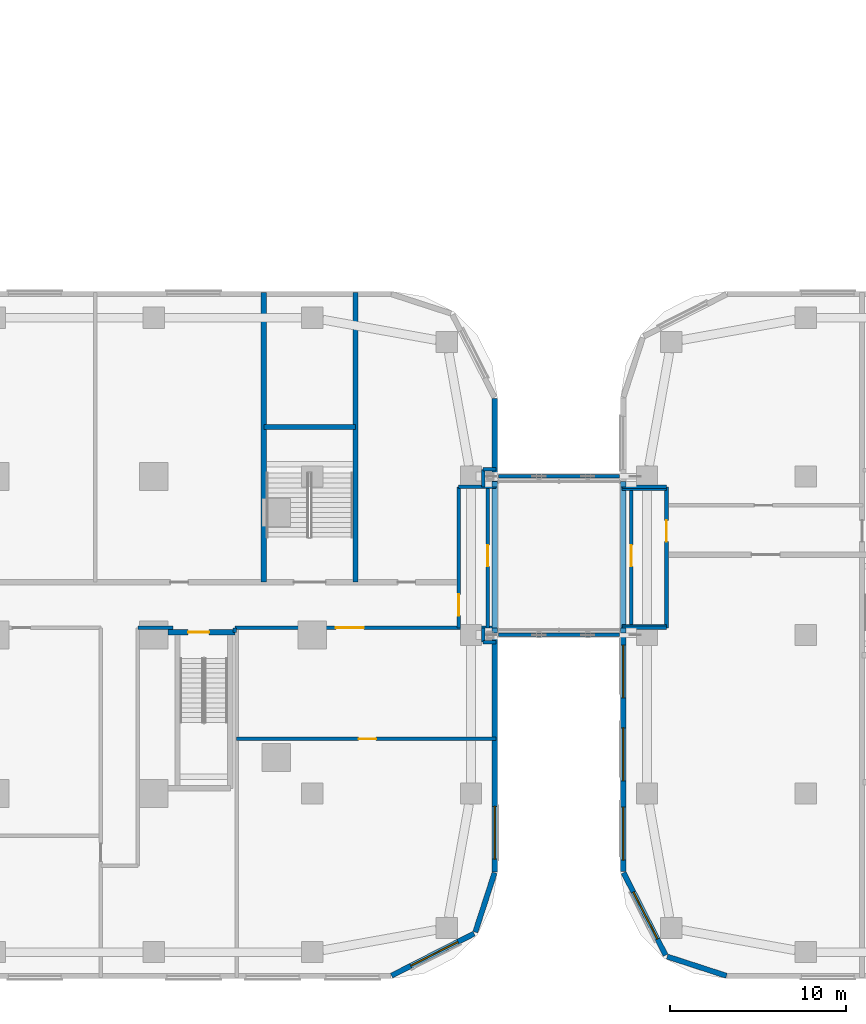
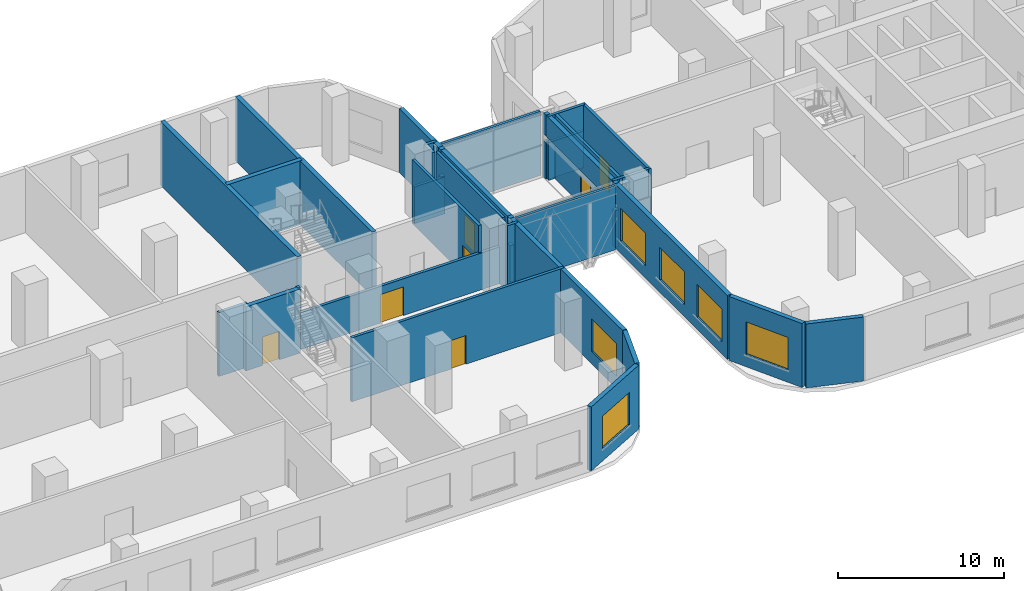
# One storey, part 11 of 35: 40 walls, 7 doors, 6 windows, 13 openings.
"""IFC4 building model written with IfcOpenShell, lengths in metres."""

from ifc_helpers import new_model, si_unit, direction, frame, frame_2d, origin, place, context, subcontext, project, spatial, rectangle, extrude, material, layer, layer_set, type_object, element, fill, save


model = new_model("IFC4")

# Units and contexts
model_context = context("Model", 3, precision=1e-05, world=origin(), true_north=direction((0.0, 1.0)))
body_context = subcontext(model_context, "Body", "Model", "MODEL_VIEW")
ifc_project = project(units=[si_unit("LENGTHUNIT", "METRE"), si_unit("AREAUNIT", "SQUARE_METRE"), si_unit("VOLUMEUNIT", "CUBIC_METRE"), si_unit("PLANEANGLEUNIT", "RADIAN"), si_unit("MASSUNIT", "GRAM", prefix="KILO")], contexts=[model_context])

# Site, building, storey
site_placement = place(None, origin())
site = spatial("IfcSite", under=ifc_project, at=site_placement, CompositionType="ELEMENT")
building_placement = place(site_placement, origin())
building = spatial("IfcBuilding", under=site, at=building_placement, Name="Ogive Portal Towers", CompositionType="ELEMENT")
storey_placement = place(building_placement, frame((0.0, 0.0, 23.5)))
storey = spatial("IfcBuildingStorey", under=building, at=storey_placement, Name="L04", CompositionType="ELEMENT", Elevation=23.5)

# Wall, opening, window
ifc_material_1 = material(Name="Limestone cladding on lightweight block wall", Category="masonry")
ifc_layer_1 = layer(ifc_material_1, 0.300048828125)
ifc_layer_set_1 = layer_set([ifc_layer_1], Name="EXTERNAL WALL 300 STONE")
wall_type_1 = type_object("IfcWallType", Name="EXTERNAL WALL 300 STONE", PredefinedType="SOLIDWALL", material=ifc_layer_set_1)
wall_1_placement = place(storey_placement, frame((98.99609375, 11.166259765625, 0.0), z_axis=(0.0, 0.0, 1.0), x_axis=(0.890998339455, 0.454006562826, 0.0)))
wall_1 = element("IfcWall", 1, at=wall_1_placement, inside=storey, type_object=wall_type_1, Name="A:L04:f03:w0", PredefinedType="SOLIDWALL", context=body_context, shape_type="SweptSolid", body=[
    extrude(rectangle(XDim=5.251708984375, YDim=0.300048828125, at=frame_2d((2.6259765625, 0.0))), origin(), (0.0, 0.0, 1.0), 4.699951171875),
])
opening_1_placement = place(wall_1_placement, frame((1.223876953125, 0.0, 0.89990234375)))
opening_1 = element("IfcOpeningElement", 2, at=opening_1_placement, cuts=wall_1, Name="Opening WN3", PredefinedType="OPENING", context=body_context, shape_type="SweptSolid", body=[
    extrude(rectangle(XDim=3.0, YDim=2.39990234375, at=frame_2d((1.5, 1.199951171875))), frame((0.0, 0.16015625, 0.0), z_axis=(0.0, -1.0, 0.0), x_axis=(1.0, 0.0, 0.0)), (0.0, 0.0, 1.0), 0.320068359375),
])
ifc_material_2 = material(Name="Glass, clear low-iron insulated glazing", Category="glass")
window_type = type_object("IfcWindowType", Name="WINDOW PODIUM 3000x2400", PartitioningType="SINGLE_PANEL", PredefinedType="WINDOW", material=ifc_material_2)
window_1_placement = place(opening_1_placement, origin())
window_1 = element("IfcWindow", 3, at=window_1_placement, inside=storey, type_object=window_type, Name="A:L04:f03:w0:o0", OverallHeight=2.39990234375, OverallWidth=3.0, PartitioningType="SINGLE_PANEL", PredefinedType="WINDOW", context=body_context, shape_type="SweptSolid", body=[
    extrude(rectangle(XDim=3.0, YDim=2.39990234375, at=frame_2d((1.5, 1.199951171875))), frame((0.0, 0.030029296875, 0.0), z_axis=(0.0, -1.0, 0.0), x_axis=(1.0, 0.0, 0.0)), (0.0, 0.0, 1.0), 0.06005859375),
])
fill(opening_1, window_1)

# Walls
wall_2_placement = place(storey_placement, frame((103.749755859375, 13.637939453125, 0.0), z_axis=(0.0, 0.0, 1.0), x_axis=(0.309073584194, 0.951038127287, 0.0)))
element("IfcWall", 4, at=wall_2_placement, inside=storey, type_object=wall_type_1, Name="A:L04:f04:w0", PredefinedType="SOLIDWALL", context=body_context, shape_type="SweptSolid", body=[
    extrude(rectangle(XDim=3.536376953125, YDim=0.300048828125, at=frame_2d((1.76806640625, 0.0))), origin(), (0.0, 0.0, 1.0), 4.699951171875),
])
wall_3_placement = place(storey_placement, frame((104.85009765625, 30.89990234375, 3.14990234375), z_axis=(0.0, 0.0, 1.0), x_axis=(0.0, 1.0, 0.0)))
element("IfcWall", 5, at=wall_3_placement, inside=storey, type_object=wall_type_1, Name="A:L04:f05:lt", PredefinedType="SOLIDWALL", context=body_context, shape_type="SweptSolid", body=[
    extrude(rectangle(XDim=8.0, YDim=0.300048828125, at=frame_2d((4.0, 0.0))), origin(), (0.0, 0.0, 1.0), 1.550048828125),
])

# Wall, opening, window
wall_4_placement = place(storey_placement, frame((104.85009765625, 17.047607421875, 0.0), z_axis=(0.0, 0.0, 1.0), x_axis=(0.0, 1.0, 0.0)))
wall_4 = element("IfcWall", 6, at=wall_4_placement, inside=storey, type_object=wall_type_1, Name="A:L04:f05:w0", PredefinedType="SOLIDWALL", context=body_context, shape_type="SweptSolid", body=[
    extrude(rectangle(XDim=13.552490234375, YDim=0.300048828125, at=frame_2d((6.7763671875, 0.0))), origin(), (0.0, 0.0, 1.0), 4.699951171875),
])
opening_2_placement = place(wall_4_placement, frame((0.726318359375, 0.0, 0.89990234375)))
opening_2 = element("IfcOpeningElement", 7, at=opening_2_placement, cuts=wall_4, Name="Opening WN3", PredefinedType="OPENING", context=body_context, shape_type="SweptSolid", body=[
    extrude(rectangle(XDim=3.0, YDim=2.39990234375, at=frame_2d((1.5, 1.199951171875))), frame((0.0, 0.16015625, 0.0), z_axis=(0.0, -1.0, 0.0), x_axis=(1.0, 0.0, 0.0)), (0.0, 0.0, 1.0), 0.320068359375),
])
window_2_placement = place(opening_2_placement, origin())
window_2 = element("IfcWindow", 8, at=window_2_placement, inside=storey, type_object=window_type, Name="A:L04:f05:w0:o0", OverallHeight=2.39990234375, OverallWidth=3.0, PartitioningType="SINGLE_PANEL", PredefinedType="WINDOW", context=body_context, shape_type="SweptSolid", body=[
    extrude(rectangle(XDim=3.0, YDim=2.39990234375, at=frame_2d((1.5, 1.199951171875))), frame((0.0, 0.030029296875, 0.0), z_axis=(0.0, -1.0, 0.0), x_axis=(1.0, 0.0, 0.0)), (0.0, 0.0, 1.0), 0.06005859375),
])
fill(opening_2, window_2)

# Wall
wall_5_placement = place(storey_placement, frame((104.85009765625, 39.199951171875, 0.0), z_axis=(0.0, 0.0, 1.0), x_axis=(0.0, 1.0, 0.0)))
element("IfcWall", 9, at=wall_5_placement, inside=storey, type_object=wall_type_1, Name="A:L04:f05:w1", PredefinedType="SOLIDWALL", context=body_context, shape_type="SweptSolid", body=[
    extrude(rectangle(XDim=4.72802734375, YDim=0.300048828125, at=frame_2d((2.364013671875, 0.0))), origin(), (0.0, 0.0, 1.0), 4.699951171875),
])

# Wall, opening, window
wall_6_placement = place(storey_placement, frame((112.166259765625, 17.00390625, 0.0), z_axis=(0.0, 0.0, 1.0), x_axis=(0.454006562826, -0.890998339455, 0.0)))
wall_6 = element("IfcWall", 10, at=wall_6_placement, inside=storey, type_object=wall_type_1, Name="B:L04:f00:w0", PredefinedType="SOLIDWALL", context=body_context, shape_type="SweptSolid", body=[
    extrude(rectangle(XDim=5.251708984375, YDim=0.300048828125, at=frame_2d((2.6259765625, 0.0))), origin(), (0.0, 0.0, 1.0), 4.699951171875),
])
opening_3_placement = place(wall_6_placement, frame((1.223876953125, 0.0, 0.89990234375)))
opening_3 = element("IfcOpeningElement", 11, at=opening_3_placement, cuts=wall_6, Name="Opening WN3", PredefinedType="OPENING", context=body_context, shape_type="SweptSolid", body=[
    extrude(rectangle(XDim=3.0, YDim=2.39990234375, at=frame_2d((1.5, 1.199951171875))), frame((0.0, 0.16015625, 0.0), z_axis=(0.0, -1.0, 0.0), x_axis=(1.0, 0.0, 0.0)), (0.0, 0.0, 1.0), 0.320068359375),
])
window_3_placement = place(opening_3_placement, origin())
window_3 = element("IfcWindow", 12, at=window_3_placement, inside=storey, type_object=window_type, Name="B:L04:f00:w0:o0", OverallHeight=2.39990234375, OverallWidth=3.0, PartitioningType="SINGLE_PANEL", PredefinedType="WINDOW", context=body_context, shape_type="SweptSolid", body=[
    extrude(rectangle(XDim=3.0, YDim=2.39990234375, at=frame_2d((1.5, 1.199951171875))), frame((0.0, 0.030029296875, 0.0), z_axis=(0.0, -1.0, 0.0), x_axis=(1.0, 0.0, 0.0)), (0.0, 0.0, 1.0), 0.06005859375),
])
fill(opening_3, window_3)

# Walls
wall_7_placement = place(storey_placement, frame((114.637939453125, 12.250244140625, 0.0), z_axis=(0.0, 0.0, 1.0), x_axis=(0.951038127287, -0.309073584194, 0.0)))
element("IfcWall", 13, at=wall_7_placement, inside=storey, type_object=wall_type_1, Name="B:L04:f01:w0", PredefinedType="SOLIDWALL", context=body_context, shape_type="SweptSolid", body=[
    extrude(rectangle(XDim=3.536376953125, YDim=0.300048828125, at=frame_2d((1.76806640625, 0.0))), origin(), (0.0, 0.0, 1.0), 4.699951171875),
])
wall_8_placement = place(storey_placement, frame((112.14990234375, 38.89990234375, 3.14990234375), z_axis=(0.0, 0.0, 1.0), x_axis=(0.0, -1.0, 0.0)))
element("IfcWall", 14, at=wall_8_placement, inside=storey, type_object=wall_type_1, Name="B:L04:f11:lt", PredefinedType="SOLIDWALL", context=body_context, shape_type="SweptSolid", body=[
    extrude(rectangle(XDim=8.0, YDim=0.300048828125, at=frame_2d((4.0, 0.0))), origin(), (0.0, 0.0, 1.0), 1.550048828125),
])

# Wall, openings, windows
wall_9_placement = place(storey_placement, frame((112.14990234375, 30.60009765625, 0.0), z_axis=(0.0, 0.0, 1.0), x_axis=(0.0, -1.0, 0.0)))
wall_9 = element("IfcWall", 15, at=wall_9_placement, inside=storey, type_object=wall_type_1, Name="B:L04:f11:w1", PredefinedType="SOLIDWALL", context=body_context, shape_type="SweptSolid", body=[
    extrude(rectangle(XDim=13.528076171875, YDim=0.300048828125, at=frame_2d((6.76416015625, 0.0))), origin(), (0.0, 0.0, 1.0), 4.699951171875),
])
opening_4_placement = place(wall_9_placement, frame((0.67626953125, 0.0, 0.89990234375)))
opening_4 = element("IfcOpeningElement", 16, at=opening_4_placement, cuts=wall_9, Name="Opening WN3", PredefinedType="OPENING", context=body_context, shape_type="SweptSolid", body=[
    extrude(rectangle(XDim=3.0, YDim=2.39990234375, at=frame_2d((1.5, 1.199951171875))), frame((0.0, 0.16015625, 0.0), z_axis=(0.0, -1.0, 0.0), x_axis=(1.0, 0.0, 0.0)), (0.0, 0.0, 1.0), 0.320068359375),
])
opening_5_placement = place(wall_9_placement, frame((5.376220703125, 0.0, 0.89990234375)))
opening_5 = element("IfcOpeningElement", 17, at=opening_5_placement, cuts=wall_9, Name="Opening WN3", PredefinedType="OPENING", context=body_context, shape_type="SweptSolid", body=[
    extrude(rectangle(XDim=3.0, YDim=2.39990234375, at=frame_2d((1.5, 1.199951171875))), frame((0.0, 0.16015625, 0.0), z_axis=(0.0, -1.0, 0.0), x_axis=(1.0, 0.0, 0.0)), (0.0, 0.0, 1.0), 0.320068359375),
])
opening_6_placement = place(wall_9_placement, frame((9.876220703125, 0.0, 0.89990234375)))
opening_6 = element("IfcOpeningElement", 18, at=opening_6_placement, cuts=wall_9, Name="Opening WN3", PredefinedType="OPENING", context=body_context, shape_type="SweptSolid", body=[
    extrude(rectangle(XDim=3.0, YDim=2.39990234375, at=frame_2d((1.5, 1.199951171875))), frame((0.0, 0.16015625, 0.0), z_axis=(0.0, -1.0, 0.0), x_axis=(1.0, 0.0, 0.0)), (0.0, 0.0, 1.0), 0.320068359375),
])
window_4_placement = place(opening_4_placement, origin())
window_4 = element("IfcWindow", 19, at=window_4_placement, inside=storey, type_object=window_type, Name="B:L04:f11:w1:o0", OverallHeight=2.39990234375, OverallWidth=3.0, PartitioningType="SINGLE_PANEL", PredefinedType="WINDOW", context=body_context, shape_type="SweptSolid", body=[
    extrude(rectangle(XDim=3.0, YDim=2.39990234375, at=frame_2d((1.5, 1.199951171875))), frame((0.0, 0.030029296875, 0.0), z_axis=(0.0, -1.0, 0.0), x_axis=(1.0, 0.0, 0.0)), (0.0, 0.0, 1.0), 0.06005859375),
])
fill(opening_4, window_4)
window_5_placement = place(opening_5_placement, origin())
window_5 = element("IfcWindow", 20, at=window_5_placement, inside=storey, type_object=window_type, Name="B:L04:f11:w1:o1a", OverallHeight=2.39990234375, OverallWidth=3.0, PartitioningType="SINGLE_PANEL", PredefinedType="WINDOW", context=body_context, shape_type="SweptSolid", body=[
    extrude(rectangle(XDim=3.0, YDim=2.39990234375, at=frame_2d((1.5, 1.199951171875))), frame((0.0, 0.030029296875, 0.0), z_axis=(0.0, -1.0, 0.0), x_axis=(1.0, 0.0, 0.0)), (0.0, 0.0, 1.0), 0.06005859375),
])
fill(opening_5, window_5)
window_6_placement = place(opening_6_placement, origin())
window_6 = element("IfcWindow", 21, at=window_6_placement, inside=storey, type_object=window_type, Name="B:L04:f11:w1:o1b", OverallHeight=2.39990234375, OverallWidth=3.0, PartitioningType="SINGLE_PANEL", PredefinedType="WINDOW", context=body_context, shape_type="SweptSolid", body=[
    extrude(rectangle(XDim=3.0, YDim=2.39990234375, at=frame_2d((1.5, 1.199951171875))), frame((0.0, 0.030029296875, 0.0), z_axis=(0.0, -1.0, 0.0), x_axis=(1.0, 0.0, 0.0)), (0.0, 0.0, 1.0), 0.06005859375),
])
fill(opening_6, window_6)

# Walls
wall_10_placement = place(storey_placement, frame((104.85009765625, 30.60009765625, 0.0), z_axis=(0.0, 0.0, 1.0), x_axis=(0.0, 1.0, 0.0)))
element("IfcWall", 22, at=wall_10_placement, inside=storey, type_object=wall_type_1, Name="Pier return", PredefinedType="SOLIDWALL", context=body_context, shape_type="SweptSolid", body=[
    extrude(rectangle(XDim=0.2998046875, YDim=0.300048828125, at=frame_2d((0.14990234375, 0.0))), origin(), (0.0, 0.0, 1.0), 2.699951171875),
])
wall_11_placement = place(storey_placement, frame((104.85009765625, 30.60009765625, 3.14990234375), z_axis=(0.0, 0.0, 1.0), x_axis=(0.0, 1.0, 0.0)))
element("IfcWall", 23, at=wall_11_placement, inside=storey, type_object=wall_type_1, Name="Pier return", PredefinedType="SOLIDWALL", context=body_context, shape_type="SweptSolid", body=[
    extrude(rectangle(XDim=0.2998046875, YDim=0.300048828125, at=frame_2d((0.14990234375, 0.0))), origin(), (0.0, 0.0, 1.0), 1.550048828125),
])
wall_12_placement = place(storey_placement, frame((104.85009765625, 39.199951171875, 0.0), z_axis=(0.0, 0.0, 1.0), x_axis=(0.0, -1.0, 0.0)))
element("IfcWall", 24, at=wall_12_placement, inside=storey, type_object=wall_type_1, Name="Pier return", PredefinedType="SOLIDWALL", context=body_context, shape_type="SweptSolid", body=[
    extrude(rectangle(XDim=0.300048828125, YDim=0.300048828125, at=frame_2d((0.14990234375, 0.0))), origin(), (0.0, 0.0, 1.0), 2.699951171875),
])
wall_13_placement = place(storey_placement, frame((104.85009765625, 39.199951171875, 3.14990234375), z_axis=(0.0, 0.0, 1.0), x_axis=(0.0, -1.0, 0.0)))
element("IfcWall", 25, at=wall_13_placement, inside=storey, type_object=wall_type_1, Name="Pier return", PredefinedType="SOLIDWALL", context=body_context, shape_type="SweptSolid", body=[
    extrude(rectangle(XDim=0.300048828125, YDim=0.300048828125, at=frame_2d((0.14990234375, 0.0))), origin(), (0.0, 0.0, 1.0), 1.550048828125),
])
wall_14_placement = place(storey_placement, frame((112.14990234375, 39.199951171875, 0.0), z_axis=(0.0, 0.0, 1.0), x_axis=(0.0, -1.0, 0.0)))
element("IfcWall", 26, at=wall_14_placement, inside=storey, type_object=wall_type_1, Name="Pier return", PredefinedType="SOLIDWALL", context=body_context, shape_type="SweptSolid", body=[
    extrude(rectangle(XDim=0.300048828125, YDim=0.300048828125, at=frame_2d((0.14990234375, 0.0))), origin(), (0.0, 0.0, 1.0), 2.699951171875),
])
wall_15_placement = place(storey_placement, frame((112.14990234375, 39.199951171875, 3.14990234375), z_axis=(0.0, 0.0, 1.0), x_axis=(0.0, -1.0, 0.0)))
element("IfcWall", 27, at=wall_15_placement, inside=storey, type_object=wall_type_1, Name="Pier return", PredefinedType="SOLIDWALL", context=body_context, shape_type="SweptSolid", body=[
    extrude(rectangle(XDim=0.300048828125, YDim=0.300048828125, at=frame_2d((0.14990234375, 0.0))), origin(), (0.0, 0.0, 1.0), 1.550048828125),
])
wall_16_placement = place(storey_placement, frame((112.14990234375, 30.60009765625, 0.0), z_axis=(0.0, 0.0, 1.0), x_axis=(0.0, 1.0, 0.0)))
element("IfcWall", 28, at=wall_16_placement, inside=storey, type_object=wall_type_1, Name="Pier return", PredefinedType="SOLIDWALL", context=body_context, shape_type="SweptSolid", body=[
    extrude(rectangle(XDim=0.2998046875, YDim=0.300048828125, at=frame_2d((0.14990234375, 0.0))), origin(), (0.0, 0.0, 1.0), 2.699951171875),
])
wall_17_placement = place(storey_placement, frame((112.14990234375, 30.60009765625, 3.14990234375), z_axis=(0.0, 0.0, 1.0), x_axis=(0.0, 1.0, 0.0)))
element("IfcWall", 29, at=wall_17_placement, inside=storey, type_object=wall_type_1, Name="Pier return", PredefinedType="SOLIDWALL", context=body_context, shape_type="SweptSolid", body=[
    extrude(rectangle(XDim=0.2998046875, YDim=0.300048828125, at=frame_2d((0.14990234375, 0.0))), origin(), (0.0, 0.0, 1.0), 1.550048828125),
])

# Wall, opening, door
ifc_material_3 = material(Name="Concrete C50/60", Category="concrete")
ifc_layer_2 = layer(ifc_material_3, 0.300048828125)
ifc_layer_set_2 = layer_set([ifc_layer_2], Name="STAIR WALL 300 C50")
wall_type_2 = type_object("IfcWallType", Name="STAIR WALL 300 C50", PredefinedType="SHEAR", material=ifc_layer_set_2)
wall_18_placement = place(storey_placement, frame((86.300048828125, 30.64990234375, 0.0), z_axis=(0.0, 0.0, 1.0), x_axis=(1.0, 0.0, 0.0)))
wall_18 = element("IfcWall", 30, at=wall_18_placement, inside=storey, type_object=wall_type_2, Name="Stair wall ST-A4 L04", PredefinedType="SHEAR", context=body_context, shape_type="SweptSolid", body=[
    extrude(rectangle(XDim=3.800048828125, YDim=0.300048828125, at=frame_2d((1.89990234375, 0.0))), origin(), (0.0, 0.0, 1.0), 4.699951171875),
])
opening_7_placement = place(wall_18_placement, frame((1.14990234375, 0.0, 0.0)))
opening_7 = element("IfcOpeningElement", 31, at=opening_7_placement, cuts=wall_18, Name="Opening P04-002", PredefinedType="OPENING", context=body_context, shape_type="SweptSolid", body=[
    extrude(rectangle(XDim=1.199951171875, YDim=2.10009765625, at=frame_2d((0.60009765625, 1.050048828125))), frame((0.0, 0.16015625, 0.0), z_axis=(0.0, -1.0, 0.0), x_axis=(1.0, 0.0, 0.0)), (0.0, 0.0, 1.0), 0.320068359375),
])
ifc_material_4 = material(Name="Steel fire door", Category="steel")
door_type_1 = type_object("IfcDoorType", Name="DT-SWING-1200x2100-FD90S", OperationType="SINGLE_SWING_LEFT", PredefinedType="DOOR", material=ifc_material_4)
door_1_placement = place(opening_7_placement, origin())
door_1 = element("IfcDoor", 32, at=door_1_placement, inside=storey, type_object=door_type_1, Name="Door P04-002", OperationType="SINGLE_SWING_RIGHT", OverallHeight=2.10009765625, OverallWidth=1.199951171875, PredefinedType="DOOR", context=body_context, shape_type="SweptSolid", body=[
    extrude(rectangle(XDim=1.199951171875, YDim=2.10009765625, at=frame_2d((0.60009765625, 1.050048828125))), frame((0.0, 0.02490234375, 0.0), z_axis=(0.0, -1.0, 0.0), x_axis=(1.0, 0.0, 0.0)), (0.0, 0.0, 1.0), 0.050048828125),
])
fill(opening_7, door_1)

# Walls
wall_19_placement = place(storey_placement, frame((91.75, 42.300048828125, 0.0), z_axis=(0.0, 0.0, 1.0), x_axis=(1.0, 0.0, 0.0)))
element("IfcWall", 33, at=wall_19_placement, inside=storey, type_object=wall_type_2, Name="Stair wall ST-P1 L04", PredefinedType="SHEAR", context=body_context, shape_type="SweptSolid", body=[
    extrude(rectangle(XDim=5.199951171875, YDim=0.300048828125, at=frame_2d((2.60009765625, 0.0))), origin(), (0.0, 0.0, 1.0), 4.699951171875),
])
for number, where, z_axis, x_axis, name in (
    (34, (91.75, 33.5, 0.0), (0.0, 0.0, 1.0), (0.0, 1.0, 0.0), "Stair wall ST-P1 L04"),
    (35, (96.949951171875, 33.5, 0.0), (0.0, 0.0, 1.0), (0.0, 1.0, 0.0), "Stair wall ST-P1 L04"),
):
    element("IfcWall", number, at=place(storey_placement, frame(where, z_axis=z_axis, x_axis=x_axis)), inside=storey, type_object=wall_type_2, Name=name, PredefinedType="SHEAR", context=body_context, shape_type="SweptSolid", body=[
        extrude(rectangle(XDim=16.429931640625, YDim=0.300048828125, at=frame_2d((8.21484375, 0.0))), origin(), (0.0, 0.0, 1.0), 4.699951171875),
    ])

# Wall, opening, door
ifc_material_5 = material(Name="Gypsum board partition on steel studs", Category="steel")
ifc_layer_3 = layer(ifc_material_5, 0.199951171875)
ifc_layer_set_3 = layer_set([ifc_layer_3], Name="WT-PART-200-EI 60")
wall_type_3 = type_object("IfcWallType", Name="WT-PART-200-EI 60", PredefinedType="PARTITIONING", material=ifc_layer_set_3)
wall_20_placement = place(storey_placement, frame((90.199951171875, 24.60009765625, 0.0), z_axis=(0.0, 0.0, 1.0), x_axis=(1.0, 0.0, 0.0)))
wall_20 = element("IfcWall", 36, at=wall_20_placement, inside=storey, type_object=wall_type_3, Name="Wall L04:w010", PredefinedType="PARTITIONING", context=body_context, shape_type="SweptSolid", body=[
    extrude(rectangle(XDim=14.72998046875, YDim=0.199951171875, at=frame_2d((7.364990234375, 0.0))), origin(), (0.0, 0.0, 1.0), 4.699951171875),
])
opening_8_placement = place(wall_20_placement, frame((6.925048828125, 0.0, 0.0)))
opening_8 = element("IfcOpeningElement", 37, at=opening_8_placement, cuts=wall_20, Name="Opening P04-014", PredefinedType="OPENING", context=body_context, shape_type="SweptSolid", body=[
    extrude(rectangle(XDim=1.0, YDim=2.10009765625, at=frame_2d((0.5, 1.050048828125))), frame((0.0, 0.10986328125, 0.0), z_axis=(0.0, -1.0, 0.0), x_axis=(1.0, 0.0, 0.0)), (0.0, 0.0, 1.0), 0.219970703125),
])
door_type_2 = type_object("IfcDoorType", Name="DT-SWING-1000x2100-FD60S", OperationType="SINGLE_SWING_LEFT", PredefinedType="DOOR", material=ifc_material_4)
door_2_placement = place(opening_8_placement, origin())
door_2 = element("IfcDoor", 38, at=door_2_placement, inside=storey, type_object=door_type_2, Name="Door P04-014", OperationType="SINGLE_SWING_RIGHT", OverallHeight=2.10009765625, OverallWidth=1.0, PredefinedType="DOOR", context=body_context, shape_type="SweptSolid", body=[
    extrude(rectangle(XDim=1.0, YDim=2.10009765625, at=frame_2d((0.5, 1.050048828125))), frame((0.0, 0.02490234375, 0.0), z_axis=(0.0, -1.0, 0.0), x_axis=(1.0, 0.0, 0.0)), (0.0, 0.0, 1.0), 0.050048828125),
])
fill(opening_8, door_2)

# Walls
wall_21_placement = place(storey_placement, frame((104.199951171875, 30.10009765625, 0.0), z_axis=(0.0, 0.0, 1.0), x_axis=(1.0, 0.0, 0.0)))
element("IfcWall", 39, at=wall_21_placement, inside=storey, type_object=wall_type_3, Name="Wall L04:w012", PredefinedType="PARTITIONING", context=body_context, shape_type="SweptSolid", body=[
    extrude(rectangle(XDim=0.72998046875, YDim=0.199951171875, at=frame_2d((0.364990234375, 0.0))), origin(), (0.0, 0.0, 1.0), 4.699951171875),
])
wall_22_placement = place(storey_placement, frame((105.070068359375, 30.5, 0.0), z_axis=(0.0, 0.0, 1.0), x_axis=(1.0, 0.0, 0.0)))
element("IfcWall", 40, at=wall_22_placement, inside=storey, type_object=wall_type_3, Name="Wall L04:w013", PredefinedType="PARTITIONING", context=body_context, shape_type="SweptSolid", body=[
    extrude(rectangle(XDim=6.85986328125, YDim=0.199951171875, at=frame_2d((3.429931640625, 0.0))), origin(), (0.0, 0.0, 1.0), 4.699951171875),
])
wall_23_placement = place(storey_placement, frame((84.60009765625, 30.89990234375, 0.0), z_axis=(0.0, 0.0, 1.0), x_axis=(1.0, 0.0, 0.0)))
element("IfcWall", 41, at=wall_23_placement, inside=storey, type_object=wall_type_3, Name="Wall L04:w017", PredefinedType="PARTITIONING", context=body_context, shape_type="SweptSolid", body=[
    extrude(rectangle(XDim=2.0, YDim=0.199951171875, at=frame_2d((1.0, 0.0))), origin(), (0.0, 0.0, 1.0), 4.699951171875),
])

# Wall, opening, door
wall_24_placement = place(storey_placement, frame((90.10009765625, 30.89990234375, 0.0), z_axis=(0.0, 0.0, 1.0), x_axis=(1.0, 0.0, 0.0)))
wall_24 = element("IfcWall", 42, at=wall_24_placement, inside=storey, type_object=wall_type_3, Name="Wall L04:w018", PredefinedType="PARTITIONING", context=body_context, shape_type="SweptSolid", body=[
    extrude(rectangle(XDim=14.829833984375, YDim=0.199951171875, at=frame_2d((7.4150390625, 0.0))), origin(), (0.0, 0.0, 1.0), 2.699951171875),
])
opening_9_placement = place(wall_24_placement, frame((5.72998046875, 0.0, 0.0)))
opening_9 = element("IfcOpeningElement", 43, at=opening_9_placement, cuts=wall_24, Name="Opening P04-013", PredefinedType="OPENING", context=body_context, shape_type="SweptSolid", body=[
    extrude(rectangle(XDim=1.60009765625, YDim=2.10009765625, at=frame_2d((0.800048828125, 1.050048828125))), frame((0.0, 0.10986328125, 0.0), z_axis=(0.0, -1.0, 0.0), x_axis=(1.0, 0.0, 0.0)), (0.0, 0.0, 1.0), 0.219970703125),
])
door_type_3 = type_object("IfcDoorType", Name="DT-SWING-1600x2100-FD60S", OperationType="SINGLE_SWING_LEFT", PredefinedType="DOOR", material=ifc_material_4)
door_3_placement = place(opening_9_placement, origin())
door_3 = element("IfcDoor", 44, at=door_3_placement, inside=storey, type_object=door_type_3, Name="Door P04-013", OperationType="SINGLE_SWING_LEFT", OverallHeight=2.10009765625, OverallWidth=1.60009765625, PredefinedType="DOOR", context=body_context, shape_type="SweptSolid", body=[
    extrude(rectangle(XDim=1.60009765625, YDim=2.10009765625, at=frame_2d((0.800048828125, 1.050048828125))), frame((0.0, 0.02490234375, 0.0), z_axis=(0.0, -1.0, 0.0), x_axis=(1.0, 0.0, 0.0)), (0.0, 0.0, 1.0), 0.050048828125),
])
fill(opening_9, door_3)

# Walls
wall_25_placement = place(storey_placement, frame((112.10009765625, 30.89990234375, 0.0), z_axis=(0.0, 0.0, 1.0), x_axis=(1.0, 0.0, 0.0)))
element("IfcWall", 45, at=wall_25_placement, inside=storey, type_object=wall_type_3, Name="Wall L04:w019", PredefinedType="PARTITIONING", context=body_context, shape_type="SweptSolid", body=[
    extrude(rectangle(XDim=2.5, YDim=0.199951171875, at=frame_2d((1.25, 0.0))), origin(), (0.0, 0.0, 1.0), 2.699951171875),
])
for number, where, z_axis, x_axis, name in (
    (46, (112.070068359375, 31.0, 0.0), (0.0, 0.0, 1.0), (1.0, 0.0, 0.0), "Wall L04:w020"),
    (47, (112.070068359375, 38.800048828125, 0.0), (0.0, 0.0, 1.0), (1.0, 0.0, 0.0), "Wall L04:w026"),
):
    element("IfcWall", number, at=place(storey_placement, frame(where, z_axis=z_axis, x_axis=x_axis)), inside=storey, type_object=wall_type_3, Name=name, PredefinedType="PARTITIONING", context=body_context, shape_type="SweptSolid", body=[
        extrude(rectangle(XDim=2.530029296875, YDim=0.199951171875, at=frame_2d((1.26513671875, 0.0))), origin(), (0.0, 0.0, 1.0), 4.699951171875),
    ])
wall_26_placement = place(storey_placement, frame((102.800048828125, 38.89990234375, 0.0), z_axis=(0.0, 0.0, 1.0), x_axis=(1.0, 0.0, 0.0)))
element("IfcWall", 48, at=wall_26_placement, inside=storey, type_object=wall_type_3, Name="Wall L04:w027", PredefinedType="PARTITIONING", context=body_context, shape_type="SweptSolid", body=[
    extrude(rectangle(XDim=2.1298828125, YDim=0.199951171875, at=frame_2d((1.06494140625, 0.0))), origin(), (0.0, 0.0, 1.0), 2.699951171875),
])
wall_27_placement = place(storey_placement, frame((112.10009765625, 38.89990234375, 0.0), z_axis=(0.0, 0.0, 1.0), x_axis=(1.0, 0.0, 0.0)))
element("IfcWall", 49, at=wall_27_placement, inside=storey, type_object=wall_type_3, Name="Wall L04:w028", PredefinedType="PARTITIONING", context=body_context, shape_type="SweptSolid", body=[
    extrude(rectangle(XDim=2.5, YDim=0.199951171875, at=frame_2d((1.25, 0.0))), origin(), (0.0, 0.0, 1.0), 2.699951171875),
])
wall_28_placement = place(storey_placement, frame((105.070068359375, 39.5, 0.0), z_axis=(0.0, 0.0, 1.0), x_axis=(1.0, 0.0, 0.0)))
element("IfcWall", 50, at=wall_28_placement, inside=storey, type_object=wall_type_3, Name="Wall L04:w029", PredefinedType="PARTITIONING", context=body_context, shape_type="SweptSolid", body=[
    extrude(rectangle(XDim=6.85986328125, YDim=0.199951171875, at=frame_2d((3.429931640625, 0.0))), origin(), (0.0, 0.0, 1.0), 4.699951171875),
])
wall_29_placement = place(storey_placement, frame((104.199951171875, 39.89990234375, 0.0), z_axis=(0.0, 0.0, 1.0), x_axis=(1.0, 0.0, 0.0)))
element("IfcWall", 51, at=wall_29_placement, inside=storey, type_object=wall_type_3, Name="Wall L04:w035", PredefinedType="PARTITIONING", context=body_context, shape_type="SweptSolid", body=[
    extrude(rectangle(XDim=0.72998046875, YDim=0.199951171875, at=frame_2d((0.364990234375, 0.0))), origin(), (0.0, 0.0, 1.0), 4.699951171875),
])

# Wall, opening, door
wall_30_placement = place(storey_placement, frame((102.800048828125, 30.89990234375, 0.0), z_axis=(0.0, 0.0, 1.0), x_axis=(0.0, 1.0, 0.0)))
wall_30 = element("IfcWall", 52, at=wall_30_placement, inside=storey, type_object=wall_type_3, Name="Wall L04:w058", PredefinedType="PARTITIONING", context=body_context, shape_type="SweptSolid", body=[
    extrude(rectangle(XDim=8.0, YDim=0.199951171875, at=frame_2d((4.0, 0.0))), origin(), (0.0, 0.0, 1.0), 4.699951171875),
])
opening_10_placement = place(wall_30_placement, frame((0.699951171875, 0.0, 0.0)))
opening_10 = element("IfcOpeningElement", 53, at=opening_10_placement, cuts=wall_30, Name="Opening P04-010", PredefinedType="OPENING", context=body_context, shape_type="SweptSolid", body=[
    extrude(rectangle(XDim=1.199951171875, YDim=2.10009765625, at=frame_2d((0.60009765625, 1.050048828125))), frame((0.0, 0.10986328125, 0.0), z_axis=(0.0, -1.0, 0.0), x_axis=(1.0, 0.0, 0.0)), (0.0, 0.0, 1.0), 0.219970703125),
])
door_type_4 = type_object("IfcDoorType", Name="DT-SWING-1200x2100-FD60S", OperationType="SINGLE_SWING_LEFT", PredefinedType="DOOR", material=ifc_material_4)
door_4_placement = place(opening_10_placement, origin())
door_4 = element("IfcDoor", 54, at=door_4_placement, inside=storey, type_object=door_type_4, Name="Door P04-010", OperationType="SINGLE_SWING_RIGHT", OverallHeight=2.10009765625, OverallWidth=1.199951171875, PredefinedType="DOOR", context=body_context, shape_type="SweptSolid", body=[
    extrude(rectangle(XDim=1.199951171875, YDim=2.10009765625, at=frame_2d((0.60009765625, 1.050048828125))), frame((0.0, 0.02490234375, 0.0), z_axis=(0.0, -1.0, 0.0), x_axis=(1.0, 0.0, 0.0)), (0.0, 0.0, 1.0), 0.050048828125),
])
fill(opening_10, door_4)

# Walls
wall_31_placement = place(storey_placement, frame((104.199951171875, 30.10009765625, 0.0), z_axis=(0.0, 0.0, 1.0), x_axis=(0.0, 1.0, 0.0)))
element("IfcWall", 55, at=wall_31_placement, inside=storey, type_object=wall_type_3, Name="Wall L04:w059", PredefinedType="PARTITIONING", context=body_context, shape_type="SweptSolid", body=[
    extrude(rectangle(XDim=0.7998046875, YDim=0.199951171875, at=frame_2d((0.39990234375, 0.0))), origin(), (0.0, 0.0, 1.0), 4.699951171875),
])
wall_32_placement = place(storey_placement, frame((104.199951171875, 38.89990234375, 0.0), z_axis=(0.0, 0.0, 1.0), x_axis=(0.0, 1.0, 0.0)))
element("IfcWall", 56, at=wall_32_placement, inside=storey, type_object=wall_type_3, Name="Wall L04:w060", PredefinedType="PARTITIONING", context=body_context, shape_type="SweptSolid", body=[
    extrude(rectangle(XDim=1.0, YDim=0.199951171875, at=frame_2d((0.5, 0.0))), origin(), (0.0, 0.0, 1.0), 4.699951171875),
])

# Wall, opening, door
wall_33_placement = place(storey_placement, frame((104.449951171875, 30.89990234375, 0.0), z_axis=(0.0, 0.0, 1.0), x_axis=(0.0, 1.0, 0.0)))
wall_33 = element("IfcWall", 57, at=wall_33_placement, inside=storey, type_object=wall_type_3, Name="Wall L04:w061", PredefinedType="PARTITIONING", context=body_context, shape_type="SweptSolid", body=[
    extrude(rectangle(XDim=8.0, YDim=0.199951171875, at=frame_2d((4.0, 0.0))), origin(), (0.0, 0.0, 1.0), 4.699951171875),
])
opening_11_placement = place(wall_33_placement, frame((3.5, 0.0, 0.0)))
opening_11 = element("IfcOpeningElement", 58, at=opening_11_placement, cuts=wall_33, Name="Opening P04-047", PredefinedType="OPENING", context=body_context, shape_type="SweptSolid", body=[
    extrude(rectangle(XDim=1.199951171875, YDim=2.10009765625, at=frame_2d((0.60009765625, 1.050048828125))), frame((0.0, 0.10986328125, 0.0), z_axis=(0.0, -1.0, 0.0), x_axis=(1.0, 0.0, 0.0)), (0.0, 0.0, 1.0), 0.219970703125),
])
door_5_placement = place(opening_11_placement, origin())
door_5 = element("IfcDoor", 59, at=door_5_placement, inside=storey, type_object=door_type_4, Name="Door P04-047", OperationType="SINGLE_SWING_LEFT", OverallHeight=2.10009765625, OverallWidth=1.199951171875, PredefinedType="DOOR", context=body_context, shape_type="SweptSolid", body=[
    extrude(rectangle(XDim=1.199951171875, YDim=2.10009765625, at=frame_2d((0.60009765625, 1.050048828125))), frame((0.0, 0.02490234375, 0.0), z_axis=(0.0, -1.0, 0.0), x_axis=(1.0, 0.0, 0.0)), (0.0, 0.0, 1.0), 0.050048828125),
])
fill(opening_11, door_5)

wall_34_placement = place(storey_placement, frame((112.60009765625, 30.89990234375, 0.0), z_axis=(0.0, 0.0, 1.0), x_axis=(0.0, 1.0, 0.0)))
wall_34 = element("IfcWall", 60, at=wall_34_placement, inside=storey, type_object=wall_type_3, Name="Wall L04:w062", PredefinedType="PARTITIONING", context=body_context, shape_type="SweptSolid", body=[
    extrude(rectangle(XDim=8.0, YDim=0.199951171875, at=frame_2d((4.0, 0.0))), origin(), (0.0, 0.0, 1.0), 4.699951171875),
])
opening_12_placement = place(wall_34_placement, frame((3.5, 0.0, 0.0)))
opening_12 = element("IfcOpeningElement", 61, at=opening_12_placement, cuts=wall_34, Name="Opening P04-048", PredefinedType="OPENING", context=body_context, shape_type="SweptSolid", body=[
    extrude(rectangle(XDim=1.199951171875, YDim=2.10009765625, at=frame_2d((0.60009765625, 1.050048828125))), frame((0.0, 0.10986328125, 0.0), z_axis=(0.0, -1.0, 0.0), x_axis=(1.0, 0.0, 0.0)), (0.0, 0.0, 1.0), 0.219970703125),
])
door_6_placement = place(opening_12_placement, origin())
door_6 = element("IfcDoor", 62, at=door_6_placement, inside=storey, type_object=door_type_4, Name="Door P04-048", OperationType="SINGLE_SWING_RIGHT", OverallHeight=2.10009765625, OverallWidth=1.199951171875, PredefinedType="DOOR", context=body_context, shape_type="SweptSolid", body=[
    extrude(rectangle(XDim=1.199951171875, YDim=2.10009765625, at=frame_2d((0.60009765625, 1.050048828125))), frame((0.0, 0.02490234375, 0.0), z_axis=(0.0, -1.0, 0.0), x_axis=(1.0, 0.0, 0.0)), (0.0, 0.0, 1.0), 0.050048828125),
])
fill(opening_12, door_6)

wall_35_placement = place(storey_placement, frame((114.60009765625, 30.89990234375, 0.0), z_axis=(0.0, 0.0, 1.0), x_axis=(0.0, 1.0, 0.0)))
wall_35 = element("IfcWall", 63, at=wall_35_placement, inside=storey, type_object=wall_type_3, Name="Wall L04:w063", PredefinedType="PARTITIONING", context=body_context, shape_type="SweptSolid", body=[
    extrude(rectangle(XDim=8.0, YDim=0.199951171875, at=frame_2d((4.0, 0.0))), origin(), (0.0, 0.0, 1.0), 4.699951171875),
])
opening_13_placement = place(wall_35_placement, frame((4.89990234375, 0.0, 0.0)))
opening_13 = element("IfcOpeningElement", 64, at=opening_13_placement, cuts=wall_35, Name="Opening P04-038", PredefinedType="OPENING", context=body_context, shape_type="SweptSolid", body=[
    extrude(rectangle(XDim=1.199951171875, YDim=2.10009765625, at=frame_2d((0.60009765625, 1.050048828125))), frame((0.0, 0.10986328125, 0.0), z_axis=(0.0, -1.0, 0.0), x_axis=(1.0, 0.0, 0.0)), (0.0, 0.0, 1.0), 0.219970703125),
])
door_7_placement = place(opening_13_placement, origin())
door_7 = element("IfcDoor", 65, at=door_7_placement, inside=storey, type_object=door_type_4, Name="Door P04-038", OperationType="SINGLE_SWING_RIGHT", OverallHeight=2.10009765625, OverallWidth=1.199951171875, PredefinedType="DOOR", context=body_context, shape_type="SweptSolid", body=[
    extrude(rectangle(XDim=1.199951171875, YDim=2.10009765625, at=frame_2d((0.60009765625, 1.050048828125))), frame((0.0, 0.02490234375, 0.0), z_axis=(0.0, -1.0, 0.0), x_axis=(1.0, 0.0, 0.0)), (0.0, 0.0, 1.0), 0.050048828125),
])
fill(opening_13, door_7)

# Wall
wall_36_placement = place(storey_placement, frame((90.10009765625, 30.64990234375, 0.0), z_axis=(0.0, 0.0, 1.0), x_axis=(0.0, 1.0, 0.0)))
element("IfcWall", 66, at=wall_36_placement, inside=storey, type_object=wall_type_3, Name="Wall L04:w102", PredefinedType="PARTITIONING", context=body_context, shape_type="SweptSolid", body=[
    extrude(rectangle(XDim=0.25, YDim=0.199951171875, at=frame_2d((0.125, 0.0))), origin(), (0.0, 0.0, 1.0), 4.699951171875),
])

save(model, "model.ifc")
